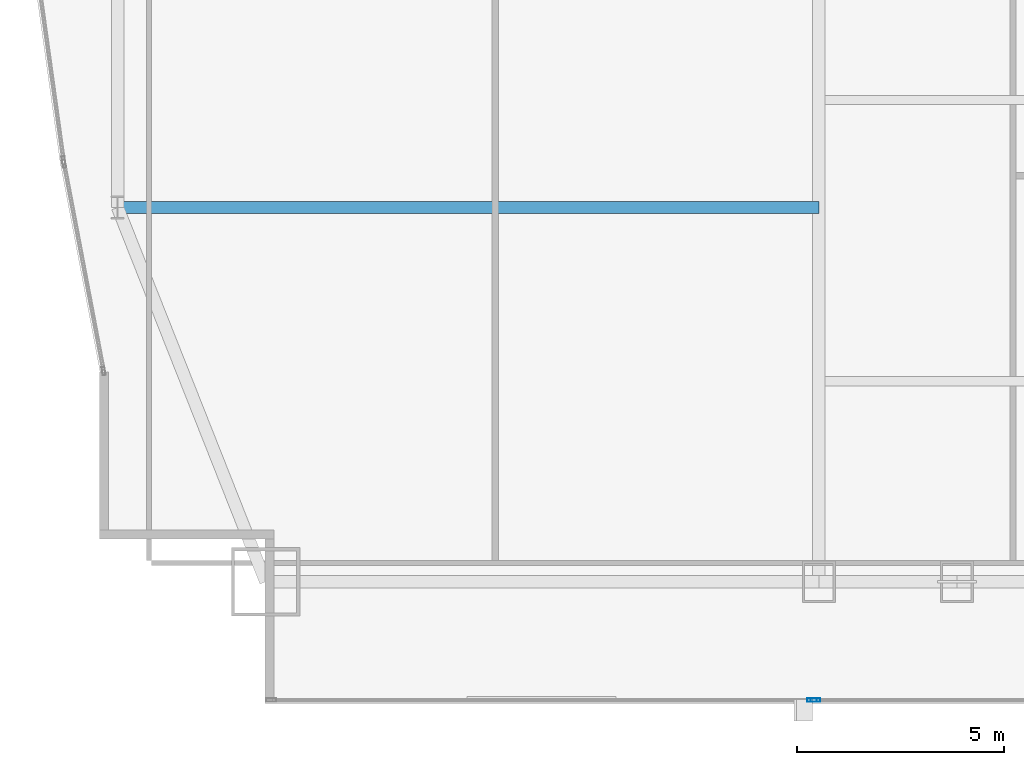
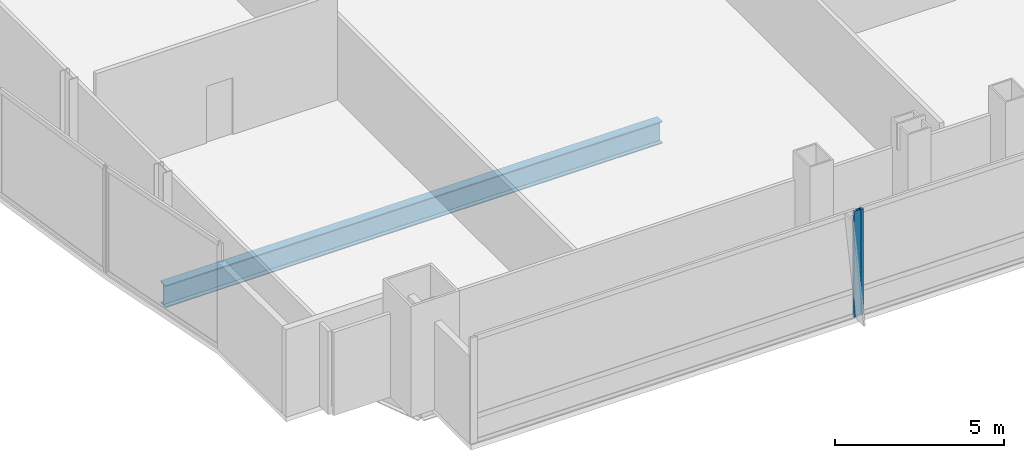
# One storey, part 7 of 37: 2 members, 1 beam, 2 elements without a shape of their own.
"""IFC4 building model written with IfcOpenShell, lengths in metres."""

from ifc_helpers import new_model, si_unit, direction, frame, origin, origin_2d, place, context, subcontext, project, spatial, hollow_rectangle, i_section, extrude, material, material_profile, profile_set, type_object, element, aggregate, save


model = new_model("IFC4")

# Units and contexts
model_context = context("Model", 3, precision=1e-05, world=origin(), true_north=direction((0.0, 1.0)))
body_context = subcontext(model_context, "Body", "Model", "MODEL_VIEW")
ifc_project = project(units=[si_unit("LENGTHUNIT", "METRE"), si_unit("AREAUNIT", "SQUARE_METRE"), si_unit("VOLUMEUNIT", "CUBIC_METRE"), si_unit("PLANEANGLEUNIT", "RADIAN"), si_unit("MASSUNIT", "GRAM", prefix="KILO")], contexts=[model_context])

# Site, building, storey
site_placement = place(None, origin())
site = spatial("IfcSite", under=ifc_project, at=site_placement, CompositionType="ELEMENT")
building_placement = place(site_placement, origin())
building = spatial("IfcBuilding", under=site, at=building_placement, Name="Khoronbel Lancet Exchange", CompositionType="ELEMENT")
storey_placement = place(building_placement, frame((0.0, 0.0, 45.800048828125)))
storey = spatial("IfcBuildingStorey", under=building, at=storey_placement, Name="L10", CompositionType="ELEMENT", Elevation=45.800048828125)

# Beam
ifc_material_1 = material(Name="Steel S355", Category="steel")
ifc_material_profile_1 = material_profile(ifc_material_1, i_section(OverallWidth=0.300048828125, OverallDepth=0.800048828125, WebThickness=0.017578125, FlangeThickness=0.032958984375, at=origin_2d()), Name="HEB 800")
ifc_profile_set_1 = profile_set([ifc_material_profile_1], Name="Steel S355")
beam_type = type_object("IfcBeamType", Name="BM-BG2", PredefinedType="BEAM", material=ifc_profile_set_1)
beam_placement = place(storey_placement, frame((1.27001953125, 19.199951171875, -0.580078125), z_axis=(1.0, 0.0, 0.0), x_axis=(0.0, 1.0, 0.0)))
element("IfcBeam", 1, at=beam_placement, inside=storey, type_object=beam_type, Name="Level L10 west lens tie girder LG1W", PredefinedType="BEAM", context=body_context, shape_type="SweptSolid", body=[
    extrude(i_section(OverallWidth=0.300048828125, OverallDepth=0.800048828125, WebThickness=0.017578125, FlangeThickness=0.032958984375, at=origin_2d()), origin(), (0.0, 0.0, 1.0), 16.955078125),
])

# Curtain wall, member
ifc_material_2 = material(Name="Low-E Solar Control Insulating Glass", Category="glass")
curtain_wall_type = type_object("IfcCurtainWallType", Name="CW-1", PredefinedType="NOTDEFINED", material=ifc_material_2)
curtain_wall_1_placement = place(storey_placement, origin())
curtain_wall_1 = element("IfcCurtainWall", 2, at=curtain_wall_1_placement, inside=storey, type_object=curtain_wall_type, Name="Unitised curtain wall CW-L10-SWV", PredefinedType="NOTDEFINED")
ifc_material_3 = material(Name="Bronze-Anodised Aluminium 6063-T6", Category="aluminium")
ifc_material_profile_2 = material_profile(ifc_material_3, hollow_rectangle(XDim=0.0849609375, YDim=0.239990234375, WallThickness=0.006103515625, at=origin_2d()), Name="ALU MULLION 85x240")
ifc_profile_set_2 = profile_set([ifc_material_profile_2], Name="Bronze-Anodised Aluminium 6063-T6")
member_type = type_object("IfcMemberType", Name="MEM-CWM1", PredefinedType="MULLION", material=ifc_profile_set_2)
member_1_placement = place(storey_placement, frame((18.0576171875, 7.2900390625, 0.0), z_axis=(0.0, 0.0, 1.0), x_axis=(0.0, 1.0, 0.0)))
member_1 = element("IfcMember", 3, at=member_1_placement, type_object=member_type, Name="CW1 mullion 2", PredefinedType="MULLION", context=body_context, shape_type="SweptSolid", body=[
    extrude(hollow_rectangle(XDim=0.0849609375, YDim=0.239990234375, WallThickness=0.006103515625, at=origin_2d()), origin(), (0.0, 0.0, 1.0), 3.820068359375),
])
aggregate(curtain_wall_1, [member_1])

curtain_wall_2_placement = place(storey_placement, origin())
curtain_wall_2 = element("IfcCurtainWall", 4, at=curtain_wall_2_placement, inside=storey, type_object=curtain_wall_type, Name="Unitised curtain wall CW-L10-SWB", PredefinedType="NOTDEFINED")
member_2_placement = place(storey_placement, frame((18.142578125, 7.2900390625, 0.0), z_axis=(0.0, 0.0, 1.0), x_axis=(0.0, 1.0, 0.0)))
member_2 = element("IfcMember", 5, at=member_2_placement, type_object=member_type, Name="CW1 mullion 1", PredefinedType="MULLION", context=body_context, shape_type="SweptSolid", body=[
    extrude(hollow_rectangle(XDim=0.0849609375, YDim=0.239990234375, WallThickness=0.006103515625, at=origin_2d()), origin(), (0.0, 0.0, 1.0), 3.820068359375),
])
aggregate(curtain_wall_2, [member_2])

save(model, "model.ifc")
